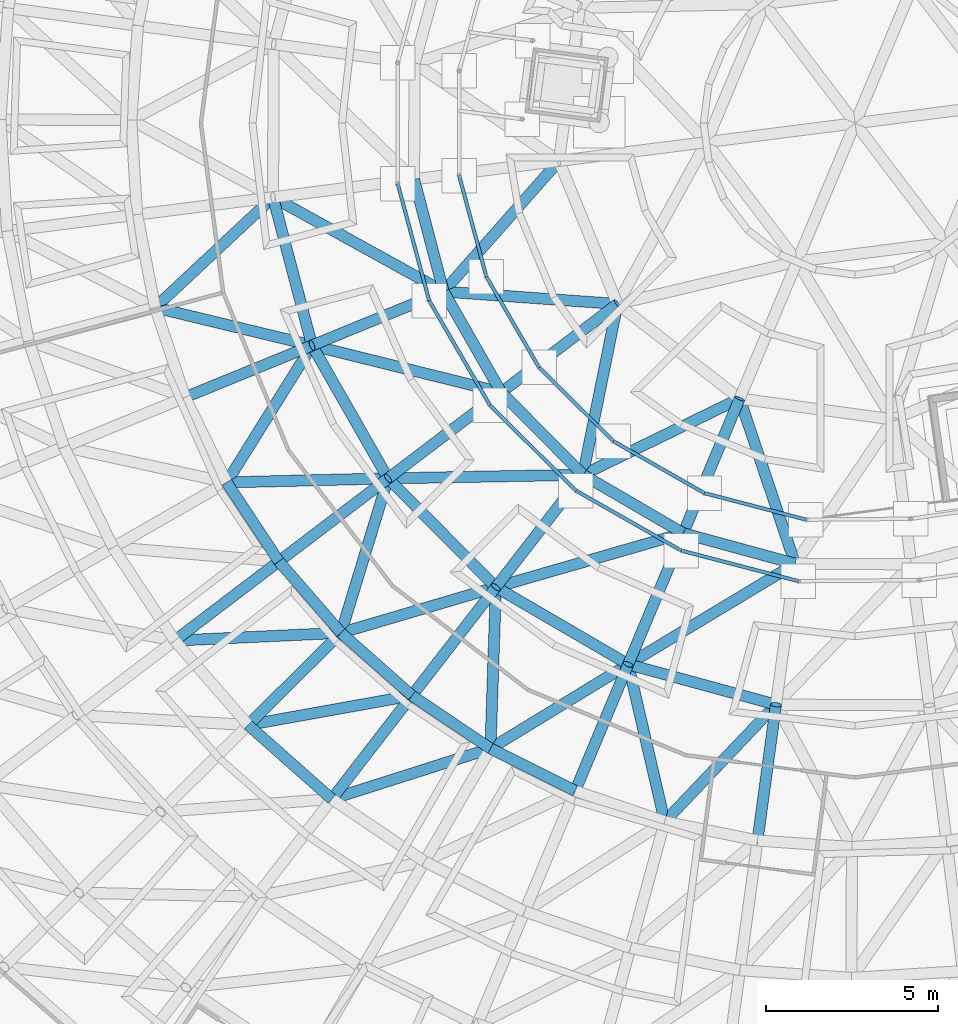
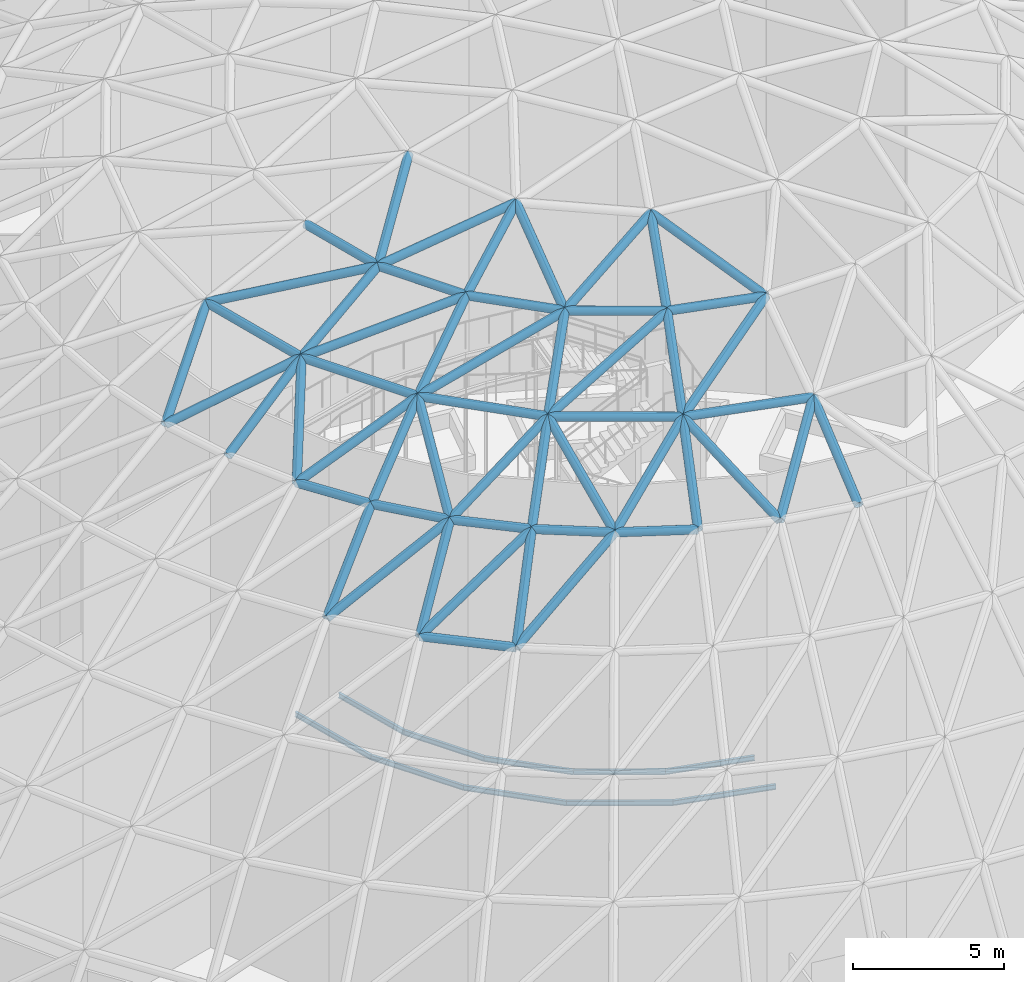
# One storey, part 77 of 226: 53 members, 10 beams.
"""IFC4 building model written with IfcOpenShell, lengths in metres."""

from ifc_helpers import new_model, si_unit, direction, frame, origin, origin_2d, place, context, subcontext, project, spatial, hollow_circle, i_section, extrude, material, material_profile, profile_set, type_object, element, save


model = new_model("IFC4")

# Units and contexts
model_context = context("Model", 3, precision=1e-05, world=origin(), true_north=direction((0.0, 1.0)))
body_context = subcontext(model_context, "Body", "Model", "MODEL_VIEW")
ifc_project = project(units=[si_unit("LENGTHUNIT", "METRE"), si_unit("AREAUNIT", "SQUARE_METRE"), si_unit("VOLUMEUNIT", "CUBIC_METRE"), si_unit("PLANEANGLEUNIT", "RADIAN"), si_unit("MASSUNIT", "GRAM", prefix="KILO")], contexts=[model_context])

# Site, building, storey
site_placement = place(None, origin())
site = spatial("IfcSite", under=ifc_project, at=site_placement, CompositionType="ELEMENT")
building_placement = place(site_placement, origin())
building = spatial("IfcBuilding", under=site, at=building_placement, Name="Ceibo Conservatory and Research Tower", CompositionType="ELEMENT")
storey_placement = place(building_placement, origin())
storey = spatial("IfcBuildingStorey", under=building, at=storey_placement, Name="L00", CompositionType="ELEMENT", Elevation=0.0)

# Members
ifc_material_1 = material(Name="Steel ASTM A500 Gr C", Category="steel")
ifc_material_profile_1 = material_profile(ifc_material_1, hollow_circle(Radius=0.161865234375, WallThickness=0.01025390625, at=origin_2d()), Name="CHS 323.9x10.31")
ifc_profile_set_1 = profile_set([ifc_material_profile_1], Name="Steel ASTM A500 Gr C")
member_type_1 = type_object("IfcMemberType", Name="CHS 323.9x10.31", PredefinedType="NOTDEFINED", material=ifc_profile_set_1)
member_1_placement = place(storey_placement, frame((136.241943359375, 92.97509765625, 19.8759765625), z_axis=(0.693686137001, 0.527754755397, 0.4901779896), x_axis=(-0.605485563009, 0.795856289155, 0.0)))
element("IfcMember", 1, at=member_1_placement, inside=storey, type_object=member_type_1, Name="Gridshell member A-M29-06", PredefinedType="RAFTER", context=body_context, shape_type="SweptSolid", body=[
    extrude(hollow_circle(Radius=0.161865234375, WallThickness=0.01025390625, at=origin_2d()), origin(), (0.0, 0.0, 1.0), 4.359619140625),
])
member_2_placement = place(storey_placement, frame((138.3720703125, 90.52490234375, 19.8759765625), z_axis=(0.618935674707, 0.613670996992, 0.490231106751), x_axis=(-0.704080182791, 0.71012048006, 0.0)))
element("IfcMember", 2, at=member_2_placement, inside=storey, type_object=member_type_1, Name="Gridshell member A-M30-06", PredefinedType="RAFTER", context=body_context, shape_type="SweptSolid", body=[
    extrude(hollow_circle(Radius=0.161865234375, WallThickness=0.01025390625, at=origin_2d()), origin(), (0.0, 0.0, 1.0), 4.359130859375),
])
member_3_placement = place(storey_placement, frame((140.803955078125, 88.3740234375, 19.8759765625), z_axis=(0.533604376262, 0.689143302775, 0.490252871358), x_axis=(-0.790682564617, 0.61222633234, 0.0)))
element("IfcMember", 3, at=member_3_placement, inside=storey, type_object=member_type_1, Name="Gridshell member A-M31-06", PredefinedType="RAFTER", context=body_context, shape_type="SweptSolid", body=[
    extrude(hollow_circle(Radius=0.161865234375, WallThickness=0.01025390625, at=origin_2d()), origin(), (0.0, 0.0, 1.0), 4.35888671875),
])
member_4_placement = place(storey_placement, frame((136.54296875, 100.0400390625, 22.012939453125), z_axis=(0.845363878027, 0.345728847162, 0.407224112703), x_axis=(-0.378537334184, 0.925586023354, 0.0)))
element("IfcMember", 4, at=member_4_placement, inside=storey, type_object=member_type_1, Name="Gridshell member A-M27-07", PredefinedType="RAFTER", context=body_context, shape_type="SweptSolid", body=[
    extrude(hollow_circle(Radius=0.161865234375, WallThickness=0.01025390625, at=origin_2d()), origin(), (0.0, 0.0, 1.0), 4.359130859375),
])
member_5_placement = place(storey_placement, frame((139.26611328125, 95.27587890625, 22.012939453125), z_axis=(0.727053629855, 0.552740001496, 0.407273262148), x_axis=(-0.605207662432, 0.796067638667, 0.0)))
element("IfcMember", 5, at=member_5_placement, inside=storey, type_object=member_type_1, Name="Gridshell member A-M29-07", PredefinedType="RAFTER", context=body_context, shape_type="SweptSolid", body=[
    extrude(hollow_circle(Radius=0.161865234375, WallThickness=0.01025390625, at=origin_2d()), origin(), (0.0, 0.0, 1.0), 4.358642578125),
])
member_6_placement = place(storey_placement, frame((143.1298828125, 91.3779296875, 22.012939453125), z_axis=(0.559092430089, 0.722193728068, 0.407249154396), x_axis=(-0.790737113753, 0.612155876337, 0.0)))
element("IfcMember", 6, at=member_6_placement, inside=storey, type_object=member_type_1, Name="Gridshell member A-M31-07", PredefinedType="RAFTER", context=body_context, shape_type="SweptSolid", body=[
    extrude(hollow_circle(Radius=0.161865234375, WallThickness=0.01025390625, at=origin_2d()), origin(), (0.0, 0.0, 1.0), 4.35888671875),
])
for number, where, z_axis, x_axis, name in (
    (7, (147.87109375, 88.613037109375, 22.012939453125), (0.353012672768, 0.842346596609, 0.407227533507), (-0.922283952425, 0.386513015434, 0.0), "Gridshell member A-M33-07"),
    (8, (153.1650390625, 87.169921875, 22.012939453125), (0.123155824209, 0.904990888306, 0.40721509678), (-0.990867072164, 0.134842297895, 0.0), "Gridshell member A-M35-07"),
):
    element("IfcMember", number, at=place(storey_placement, frame(where, z_axis=z_axis, x_axis=x_axis)), inside=storey, type_object=member_type_1, Name=name, PredefinedType="RAFTER", context=body_context, shape_type="SweptSolid", body=[
        extrude(hollow_circle(Radius=0.161865234375, WallThickness=0.01025390625, at=origin_2d()), origin(), (0.0, 0.0, 1.0), 4.359130859375),
    ])
ifc_material_profile_2 = material_profile(ifc_material_1, hollow_circle(Radius=0.161865234375, WallThickness=0.00634765625, at=origin_2d()), Name="CHS 323.9x6.35")
ifc_profile_set_2 = profile_set([ifc_material_profile_2], Name="Steel ASTM A500 Gr C")
member_type_2 = type_object("IfcMemberType", Name="CHS 323.9x6.35", PredefinedType="NOTDEFINED", material=ifc_profile_set_2)
member_7_placement = place(storey_placement, frame((139.094970703125, 105.84912109375, 23.7880859375), z_axis=(0.254693189694, -0.967021912432, 0.0), x_axis=(0.967021912432, 0.254693189694, 0.0)))
element("IfcMember", 9, at=member_7_placement, inside=storey, type_object=member_type_2, Name="Gridshell member A-C08-13", PredefinedType="CHORD", context=body_context, shape_type="SweptSolid", body=[
    extrude(hollow_circle(Radius=0.161865234375, WallThickness=0.00634765625, at=origin_2d()), origin(), (0.0, 0.0, 1.0), 4.44873046875),
])
member_8_placement = place(storey_placement, frame((140.22802734375, 101.547119140625, 23.7880859375), z_axis=(0.496162581046, -0.868229631589, 0.0), x_axis=(0.868229631589, 0.496162581046, 0.0)))
element("IfcMember", 10, at=member_8_placement, inside=storey, type_object=member_type_2, Name="Gridshell member A-C08-14", PredefinedType="CHORD", context=body_context, shape_type="SweptSolid", body=[
    extrude(hollow_circle(Radius=0.161865234375, WallThickness=0.00634765625, at=origin_2d()), origin(), (0.0, 0.0, 1.0), 4.4482421875),
])
member_9_placement = place(storey_placement, frame((142.43505859375, 97.68505859375, 23.7880859375), z_axis=(0.704026708202, -0.710173495801, 0.0), x_axis=(0.710173495801, 0.704026708202, 0.0)))
element("IfcMember", 11, at=member_9_placement, inside=storey, type_object=member_type_2, Name="Gridshell member A-C08-15", PredefinedType="CHORD", context=body_context, shape_type="SweptSolid", body=[
    extrude(hollow_circle(Radius=0.161865234375, WallThickness=0.00634765625, at=origin_2d()), origin(), (0.0, 0.0, 1.0), 4.448486328125),
])
member_10_placement = place(storey_placement, frame((145.56689453125, 94.52587890625, 23.7880859375), z_axis=(0.863856517975, -0.503737944126, 0.0), x_axis=(0.503737944126, 0.863856517975, 0.0)))
element("IfcMember", 12, at=member_10_placement, inside=storey, type_object=member_type_2, Name="Gridshell member A-C08-16", PredefinedType="CHORD", context=body_context, shape_type="SweptSolid", body=[
    extrude(hollow_circle(Radius=0.161865234375, WallThickness=0.00634765625, at=origin_2d()), origin(), (0.0, 0.0, 1.0), 4.44873046875),
])
member_11_placement = place(storey_placement, frame((149.409912109375, 92.284912109375, 23.7880859375), z_axis=(0.964799273725, -0.262987378822, 0.0), x_axis=(0.262987378822, 0.964799273725, 0.0)))
element("IfcMember", 13, at=member_11_placement, inside=storey, type_object=member_type_2, Name="Gridshell member A-C08-17", PredefinedType="CHORD", context=body_context, shape_type="SweptSolid", body=[
    extrude(hollow_circle(Radius=0.161865234375, WallThickness=0.00634765625, at=origin_2d()), origin(), (0.0, 0.0, 1.0), 4.448486328125),
])
member_12_placement = place(storey_placement, frame((143.19091796875, 106.37109375, 25.18408203125), z_axis=(0.254564595212, -0.967055772365, 0.0), x_axis=(0.967055772365, 0.254564595212, 0.0)))
element("IfcMember", 14, at=member_12_placement, inside=storey, type_object=member_type_2, Name="Gridshell member A-C09-13", PredefinedType="CHORD", context=body_context, shape_type="SweptSolid", body=[
    extrude(hollow_circle(Radius=0.161865234375, WallThickness=0.00634765625, at=origin_2d()), origin(), (0.0, 0.0, 1.0), 3.37109375),
])
member_13_placement = place(storey_placement, frame((144.049072265625, 103.111083984375, 25.18408203125), z_axis=(0.496201327112, -0.868207488434, 0.0), x_axis=(0.868207488434, 0.496201327112, 0.0)))
element("IfcMember", 15, at=member_13_placement, inside=storey, type_object=member_type_2, Name="Gridshell member A-C09-14", PredefinedType="CHORD", context=body_context, shape_type="SweptSolid", body=[
    extrude(hollow_circle(Radius=0.161865234375, WallThickness=0.00634765625, at=origin_2d()), origin(), (0.0, 0.0, 1.0), 3.371337890625),
])
member_14_placement = place(storey_placement, frame((145.721923828125, 100.18408203125, 25.18408203125), z_axis=(0.704130445871, -0.710070640991, 0.0), x_axis=(0.710070640991, 0.704130445871, 0.0)))
element("IfcMember", 16, at=member_14_placement, inside=storey, type_object=member_type_2, Name="Gridshell member A-C09-15", PredefinedType="CHORD", context=body_context, shape_type="SweptSolid", body=[
    extrude(hollow_circle(Radius=0.161865234375, WallThickness=0.00634765625, at=origin_2d()), origin(), (0.0, 0.0, 1.0), 3.3701171875),
])
member_15_placement = place(storey_placement, frame((148.094970703125, 97.791015625, 25.18408203125), z_axis=(0.863873449663, -0.503708906976, 0.0), x_axis=(0.503708906976, 0.863873449663, 0.0)))
element("IfcMember", 17, at=member_15_placement, inside=storey, type_object=member_type_2, Name="Gridshell member A-C09-16", PredefinedType="CHORD", context=body_context, shape_type="SweptSolid", body=[
    extrude(hollow_circle(Radius=0.161865234375, WallThickness=0.00634765625, at=origin_2d()), origin(), (0.0, 0.0, 1.0), 3.37109375),
])
member_16_placement = place(storey_placement, frame((151.007080078125, 96.093017578125, 25.18408203125), z_axis=(0.964758806724, -0.263135791654, 0.0), x_axis=(0.263135791654, 0.964758806724, 0.0)))
element("IfcMember", 18, at=member_16_placement, inside=storey, type_object=member_type_2, Name="Gridshell member A-C09-17", PredefinedType="CHORD", context=body_context, shape_type="SweptSolid", body=[
    extrude(hollow_circle(Radius=0.161865234375, WallThickness=0.00634765625, at=origin_2d()), origin(), (0.0, 0.0, 1.0), 3.370849609375),
])
member_17_placement = place(storey_placement, frame((136.241943359375, 92.97509765625, 19.8759765625), z_axis=(0.913605897877, 0.042548090208, 0.404368548954), x_axis=(-0.046521179047, 0.998917303835, 0.0)))
element("IfcMember", 19, at=member_17_placement, inside=storey, type_object=member_type_2, Name="Gridshell diagonal member A-D06-29", PredefinedType="BRACE", context=body_context, shape_type="SweptSolid", body=[
    extrude(hollow_circle(Radius=0.161865234375, WallThickness=0.00634765625, at=origin_2d()), origin(), (0.0, 0.0, 1.0), 5.28466796875),
])
for number, where, z_axis, x_axis, name in (
    (20, (138.3720703125, 90.52490234375, 19.8759765625), (0.900251231785, 0.16140588074, 0.404346214687), (-0.176475859997, 0.984304968411, 0.0), "Gridshell diagonal member A-D06-30"),
    (21, (140.803955078125, 88.3740234375, 19.8759765625), (0.871521748446, 0.277403164392, 0.404348026298), (-0.303303725039, 0.952893934485, 0.0), "Gridshell diagonal member A-D06-31"),
):
    element("IfcMember", number, at=place(storey_placement, frame(where, z_axis=z_axis, x_axis=x_axis)), inside=storey, type_object=member_type_2, Name=name, PredefinedType="BRACE", context=body_context, shape_type="SweptSolid", body=[
        extrude(hollow_circle(Radius=0.161865234375, WallThickness=0.00634765625, at=origin_2d()), origin(), (0.0, 0.0, 1.0), 5.284912109375),
    ])
member_18_placement = place(storey_placement, frame((135.6708984375, 102.64794921875, 22.012939453125), z_axis=(0.68313712498, 0.638666237628, 0.354159717342), x_axis=(-0.682930404518, 0.730483444429, 0.0)))
element("IfcMember", 22, at=member_18_placement, inside=storey, type_object=member_type_2, Name="Gridshell diagonal member A-D07-26", PredefinedType="BRACE", context=body_context, shape_type="SweptSolid", body=[
    extrude(hollow_circle(Radius=0.161865234375, WallThickness=0.00634765625, at=origin_2d()), origin(), (0.0, 0.0, 1.0), 5.01220703125),
])
member_19_placement = place(storey_placement, frame((135.6708984375, 102.64794921875, 22.012939453125), z_axis=(0.909058117901, -0.219594077661, 0.354107016782), x_axis=(0.234808517034, 0.972041645367, 0.0)))
element("IfcMember", 23, at=member_19_placement, inside=storey, type_object=member_type_2, Name="Gridshell diagonal member A-D07-27", PredefinedType="BRACE", context=body_context, shape_type="SweptSolid", body=[
    extrude(hollow_circle(Radius=0.161865234375, WallThickness=0.00634765625, at=origin_2d()), origin(), (0.0, 0.0, 1.0), 5.012939453125),
])
member_20_placement = place(storey_placement, frame((137.7490234375, 97.569091796875, 22.012939453125), z_axis=(0.494602259492, 0.793682215498, 0.354171068423), x_axis=(-0.848694006558, 0.528884186976, 0.0)))
element("IfcMember", 24, at=member_20_placement, inside=storey, type_object=member_type_2, Name="Gridshell diagonal member A-D07-28", PredefinedType="BRACE", context=body_context, shape_type="SweptSolid", body=[
    extrude(hollow_circle(Radius=0.161865234375, WallThickness=0.00634765625, at=origin_2d()), origin(), (0.0, 0.0, 1.0), 5.01220703125),
])
member_21_placement = place(storey_placement, frame((137.7490234375, 97.569091796875, 22.012939453125), z_axis=(0.934900321185, 0.02313627449, 0.354155477511), x_axis=(-0.024739742353, 0.999693925733, 0.0)))
element("IfcMember", 25, at=member_21_placement, inside=storey, type_object=member_type_2, Name="Gridshell diagonal member A-D07-29", PredefinedType="BRACE", context=body_context, shape_type="SweptSolid", body=[
    extrude(hollow_circle(Radius=0.161865234375, WallThickness=0.00634765625, at=origin_2d()), origin(), (0.0, 0.0, 1.0), 5.012451171875),
])
for number, where, z_axis, x_axis, name in (
    (26, (141.070068359375, 93.199951171875, 22.012939453125), (0.272288126249, 0.894688815476, 0.354106057228), (-0.956676403075, 0.29115332696, 0.0), "Gridshell diagonal member A-D07-30"),
    (27, (141.070068359375, 93.199951171875, 22.012939453125), (0.897023917575, 0.264495189552, 0.354105049389), (-0.282820349314, 0.959172898916, 0.0), "Gridshell diagonal member A-D07-31"),
):
    element("IfcMember", number, at=place(storey_placement, frame(where, z_axis=z_axis, x_axis=x_axis)), inside=storey, type_object=member_type_2, Name=name, PredefinedType="BRACE", context=body_context, shape_type="SweptSolid", body=[
        extrude(hollow_circle(Radius=0.161865234375, WallThickness=0.00634765625, at=origin_2d()), origin(), (0.0, 0.0, 1.0), 5.012939453125),
    ])
member_22_placement = place(storey_placement, frame((145.409912109375, 89.840087890625, 22.012939453125), z_axis=(0.031313659083, 0.934685938993, 0.354092714136), x_axis=(-0.999439286733, 0.033483012628, 0.0)))
element("IfcMember", 28, at=member_22_placement, inside=storey, type_object=member_type_2, Name="Gridshell diagonal member A-D07-32", PredefinedType="BRACE", context=body_context, shape_type="SweptSolid", body=[
    extrude(hollow_circle(Radius=0.161865234375, WallThickness=0.00634765625, at=origin_2d()), origin(), (0.0, 0.0, 1.0), 5.01318359375),
])
member_23_placement = place(storey_placement, frame((145.409912109375, 89.840087890625, 22.012939453125), z_axis=(0.797954900847, 0.487714866765, 0.354121709232), x_axis=(-0.52150899092, 0.853245786623, 0.0)))
element("IfcMember", 29, at=member_23_placement, inside=storey, type_object=member_type_2, Name="Gridshell diagonal member A-D07-33", PredefinedType="BRACE", context=body_context, shape_type="SweptSolid", body=[
    extrude(hollow_circle(Radius=0.161865234375, WallThickness=0.00634765625, at=origin_2d()), origin(), (0.0, 0.0, 1.0), 5.0126953125),
])
member_24_placement = place(storey_placement, frame((150.470947265625, 87.718017578125, 22.012939453125), z_axis=(-0.211642839505, 0.910950519048, 0.354085385652), x_axis=(-0.974056629956, -0.226304400395, 0.0)))
element("IfcMember", 30, at=member_24_placement, inside=storey, type_object=member_type_2, Name="Gridshell diagonal member A-D07-34", PredefinedType="BRACE", context=body_context, shape_type="SweptSolid", body=[
    extrude(hollow_circle(Radius=0.161865234375, WallThickness=0.00634765625, at=origin_2d()), origin(), (0.0, 0.0, 1.0), 5.013427734375),
])
member_25_placement = place(storey_placement, frame((150.470947265625, 87.718017578125, 22.012939453125), z_axis=(0.644522300446, 0.677639662113, 0.354112259826), x_axis=(-0.724591043665, 0.689179090978, 0.0)))
element("IfcMember", 31, at=member_25_placement, inside=storey, type_object=member_type_2, Name="Gridshell diagonal member A-D07-35", PredefinedType="BRACE", context=body_context, shape_type="SweptSolid", body=[
    extrude(hollow_circle(Radius=0.161865234375, WallThickness=0.00634765625, at=origin_2d()), origin(), (0.0, 0.0, 1.0), 5.012939453125),
])
for number, where, z_axis, x_axis, name in (
    (32, (139.094970703125, 105.84912109375, 23.7880859375), (0.849761698392, -0.469647025797, 0.239450886626), (0.483719152091, 0.875223275456, 0.0), "Gridshell diagonal member A-D08-13"),
    (33, (140.22802734375, 101.547119140625, 23.7880859375), (0.942339970226, -0.233794785307, 0.239448071357), (0.240799852287, 0.970574794201, 0.0), "Gridshell diagonal member A-D08-14"),
):
    element("IfcMember", number, at=place(storey_placement, frame(where, z_axis=z_axis, x_axis=x_axis)), inside=storey, type_object=member_type_2, Name=name, PredefinedType="BRACE", context=body_context, shape_type="SweptSolid", body=[
        extrude(hollow_circle(Radius=0.161865234375, WallThickness=0.00634765625, at=origin_2d()), origin(), (0.0, 0.0, 1.0), 5.830078125),
    ])
member_26_placement = place(storey_placement, frame((142.43505859375, 97.68505859375, 23.7880859375), z_axis=(0.970743481033, 0.018172914238, 0.239430238733), x_axis=(-0.018717334679, 0.999824815346, 0.0)))
element("IfcMember", 34, at=member_26_placement, inside=storey, type_object=member_type_2, Name="Gridshell diagonal member A-D08-15", PredefinedType="BRACE", context=body_context, shape_type="SweptSolid", body=[
    extrude(hollow_circle(Radius=0.161865234375, WallThickness=0.00634765625, at=origin_2d()), origin(), (0.0, 0.0, 1.0), 5.83056640625),
])
member_27_placement = place(storey_placement, frame((145.56689453125, 94.52587890625, 23.7880859375), z_axis=(0.932979356483, 0.268760691525, 0.239410131507), x_axis=(-0.276810755634, 0.96092445362, 0.0)))
element("IfcMember", 35, at=member_27_placement, inside=storey, type_object=member_type_2, Name="Gridshell diagonal member A-D08-16", PredefinedType="BRACE", context=body_context, shape_type="SweptSolid", body=[
    extrude(hollow_circle(Radius=0.161865234375, WallThickness=0.00634765625, at=origin_2d()), origin(), (0.0, 0.0, 1.0), 5.8310546875),
])
member_28_placement = place(storey_placement, frame((149.409912109375, 92.284912109375, 23.7880859375), z_axis=(0.831668110253, 0.501002363266, 0.239425951789), x_axis=(-0.516010727566, 0.856582120428, 0.0)))
element("IfcMember", 36, at=member_28_placement, inside=storey, type_object=member_type_2, Name="Gridshell diagonal member A-D08-17", PredefinedType="BRACE", context=body_context, shape_type="SweptSolid", body=[
    extrude(hollow_circle(Radius=0.161865234375, WallThickness=0.00634765625, at=origin_2d()), origin(), (0.0, 0.0, 1.0), 5.83056640625),
])
member_29_placement = place(storey_placement, frame((144.049072265625, 103.111083984375, 25.18408203125), z_axis=(0.648975939348, 0.735414595118, 0.194924609617), x_axis=(-0.749797030736, 0.661667902123, 0.0)))
element("IfcMember", 37, at=member_29_placement, inside=storey, type_object=member_type_2, Name="Gridshell diagonal member A-D09-14", PredefinedType="BRACE", context=body_context, shape_type="SweptSolid", body=[
    extrude(hollow_circle(Radius=0.161865234375, WallThickness=0.00634765625, at=origin_2d()), origin(), (0.0, 0.0, 1.0), 5.16015625),
])
member_30_placement = place(storey_placement, frame((144.049072265625, 103.111083984375, 25.18408203125), z_axis=(0.978335727506, -0.069779748456, 0.194910212637), x_axis=(0.071144217049, 0.997466039713, 0.0)))
element("IfcMember", 38, at=member_30_placement, inside=storey, type_object=member_type_2, Name="Gridshell diagonal member A-D09-15", PredefinedType="BRACE", context=body_context, shape_type="SweptSolid", body=[
    extrude(hollow_circle(Radius=0.161865234375, WallThickness=0.00634765625, at=origin_2d()), origin(), (0.0, 0.0, 1.0), 5.16064453125),
])
member_31_placement = place(storey_placement, frame((148.094970703125, 97.791015625, 25.18408203125), z_axis=(0.194390920704, 0.961354903853, 0.194958761758), x_axis=(-0.980162816681, 0.198193977699, 0.0)))
element("IfcMember", 39, at=member_31_placement, inside=storey, type_object=member_type_2, Name="Gridshell diagonal member A-D09-16", PredefinedType="BRACE", context=body_context, shape_type="SweptSolid", body=[
    extrude(hollow_circle(Radius=0.161865234375, WallThickness=0.00634765625, at=origin_2d()), origin(), (0.0, 0.0, 1.0), 5.159423828125),
])
for number, where, z_axis, x_axis, name in (
    (40, (148.094970703125, 97.791015625, 25.18408203125), (0.882108642385, 0.428824496357, 0.194920225617), (-0.437210589233, 0.899359161104, 0.0), "Gridshell diagonal member A-D09-17"),
    (41, (154.259033203125, 95.2060546875, 25.18408203125), (-0.312389775214, 0.929741611768, 0.194918351338), (-0.947923280966, -0.318498749451, 0.0), "Gridshell diagonal member A-D09-18"),
):
    element("IfcMember", number, at=place(storey_placement, frame(where, z_axis=z_axis, x_axis=x_axis)), inside=storey, type_object=member_type_2, Name=name, PredefinedType="BRACE", context=body_context, shape_type="SweptSolid", body=[
        extrude(hollow_circle(Radius=0.161865234375, WallThickness=0.00634765625, at=origin_2d()), origin(), (0.0, 0.0, 1.0), 5.160400390625),
    ])
ifc_material_profile_3 = material_profile(ifc_material_1, hollow_circle(Radius=0.161865234375, WallThickness=0.00830078125, at=origin_2d()), Name="CHS 323.9x8.38")
ifc_profile_set_3 = profile_set([ifc_material_profile_3], Name="Steel ASTM A500 Gr C")
member_type_3 = type_object("IfcMemberType", Name="CHS 323.9x8.38", PredefinedType="NOTDEFINED", material=ifc_profile_set_3)
member_32_placement = place(storey_placement, frame((138.3720703125, 90.52490234375, 19.8759765625), z_axis=(0.749058278672, -0.662504109537, 0.0), x_axis=(0.662504109537, 0.749058278672, 0.0)))
element("IfcMember", 42, at=member_32_placement, inside=storey, type_object=member_type_3, Name="Gridshell member A-C06-30", PredefinedType="CHORD", context=body_context, shape_type="SweptSolid", body=[
    extrude(hollow_circle(Radius=0.161865234375, WallThickness=0.00830078125, at=origin_2d()), origin(), (0.0, 0.0, 1.0), 3.24658203125),
])
member_33_placement = place(storey_placement, frame((137.7490234375, 97.569091796875, 22.012939453125), z_axis=(0.551746121392, -0.834012120733, 0.0), x_axis=(0.834012120733, 0.551746121392, 0.0)))
element("IfcMember", 43, at=member_33_placement, inside=storey, type_object=member_type_3, Name="Gridshell member A-C07-28", PredefinedType="CHORD", context=body_context, shape_type="SweptSolid", body=[
    extrude(hollow_circle(Radius=0.161865234375, WallThickness=0.00830078125, at=origin_2d()), origin(), (0.0, 0.0, 1.0), 2.74951171875),
])
member_34_placement = place(storey_placement, frame((139.26611328125, 95.27587890625, 22.012939453125), z_axis=(0.655930330276, -0.754821437046, 0.0), x_axis=(0.754821437046, 0.655930330276, 0.0)))
element("IfcMember", 44, at=member_34_placement, inside=storey, type_object=member_type_3, Name="Gridshell member A-C07-29", PredefinedType="CHORD", context=body_context, shape_type="SweptSolid", body=[
    extrude(hollow_circle(Radius=0.161865234375, WallThickness=0.00830078125, at=origin_2d()), origin(), (0.0, 0.0, 1.0), 2.750244140625),
])
member_35_placement = place(storey_placement, frame((141.070068359375, 93.199951171875, 22.012939453125), z_axis=(0.749018590767, -0.662548979838, 0.0), x_axis=(0.662548979838, 0.749018590767, 0.0)))
element("IfcMember", 45, at=member_35_placement, inside=storey, type_object=member_type_3, Name="Gridshell member A-C07-30", PredefinedType="CHORD", context=body_context, shape_type="SweptSolid", body=[
    extrude(hollow_circle(Radius=0.161865234375, WallThickness=0.00830078125, at=origin_2d()), origin(), (0.0, 0.0, 1.0), 2.75),
])
member_36_placement = place(storey_placement, frame((143.1298828125, 91.3779296875, 22.012939453125), z_axis=(0.829047245278, -0.559178562802, 0.0), x_axis=(0.559178562802, 0.829047245278, 0.0)))
element("IfcMember", 46, at=member_36_placement, inside=storey, type_object=member_type_3, Name="Gridshell member A-C07-31", PredefinedType="CHORD", context=body_context, shape_type="SweptSolid", body=[
    extrude(hollow_circle(Radius=0.161865234375, WallThickness=0.00830078125, at=origin_2d()), origin(), (0.0, 0.0, 1.0), 2.750244140625),
])
member_37_placement = place(storey_placement, frame((145.409912109375, 89.840087890625, 22.012939453125), z_axis=(0.894941493593, -0.446183508263, 0.0), x_axis=(0.446183508263, 0.894941493593, 0.0)))
element("IfcMember", 47, at=member_37_placement, inside=storey, type_object=member_type_3, Name="Gridshell member A-C07-32", PredefinedType="CHORD", context=body_context, shape_type="SweptSolid", body=[
    extrude(hollow_circle(Radius=0.161865234375, WallThickness=0.00830078125, at=origin_2d()), origin(), (0.0, 0.0, 1.0), 2.75),
])
member_38_placement = place(storey_placement, frame((140.22802734375, 101.547119140625, 23.7880859375), z_axis=(0.876719142512, 0.358843704999, 0.320304137556), x_axis=(-0.378800921469, 0.925478180129, 0.0)))
element("IfcMember", 48, at=member_38_placement, inside=storey, type_object=member_type_3, Name="Gridshell member A-M14-08", PredefinedType="RAFTER", context=body_context, shape_type="SweptSolid", body=[
    extrude(hollow_circle(Radius=0.161865234375, WallThickness=0.00830078125, at=origin_2d()), origin(), (0.0, 0.0, 1.0), 4.3583984375),
])
member_39_placement = place(storey_placement, frame((142.43505859375, 97.68505859375, 23.7880859375), z_axis=(0.754110073539, 0.573354431608, 0.320285330201), x_axis=(-0.605237673467, 0.79604482199, 0.0)))
element("IfcMember", 49, at=member_39_placement, inside=storey, type_object=member_type_3, Name="Gridshell member A-M15-08", PredefinedType="RAFTER", context=body_context, shape_type="SweptSolid", body=[
    extrude(hollow_circle(Radius=0.161865234375, WallThickness=0.00830078125, at=origin_2d()), origin(), (0.0, 0.0, 1.0), 4.358642578125),
])
for number, where, z_axis, x_axis, name in (
    (50, (145.56689453125, 94.52587890625, 23.7880859375), (0.579963783908, 0.749052211105, 0.320254265223), (-0.790696934655, 0.612207773168, 0.0), "Gridshell member A-M16-08"),
    (51, (149.409912109375, 92.284912109375, 23.7880859375), (0.366401790551, 0.873606714921, 0.320251519164), (-0.9221753363, 0.386772089375, 0.0), "Gridshell member A-M17-08"),
):
    element("IfcMember", number, at=place(storey_placement, frame(where, z_axis=z_axis, x_axis=x_axis)), inside=storey, type_object=member_type_3, Name=name, PredefinedType="RAFTER", context=body_context, shape_type="SweptSolid", body=[
        extrude(hollow_circle(Radius=0.161865234375, WallThickness=0.00830078125, at=origin_2d()), origin(), (0.0, 0.0, 1.0), 4.359130859375),
    ])
member_40_placement = place(storey_placement, frame((145.721923828125, 100.18408203125, 25.18408203125), z_axis=(0.774544571179, 0.588918254366, 0.230772608711), x_axis=(-0.605255486176, 0.796031278565, 0.0)))
element("IfcMember", 52, at=member_40_placement, inside=storey, type_object=member_type_3, Name="Gridshell member A-M15-09", PredefinedType="RAFTER", context=body_context, shape_type="SweptSolid", body=[
    extrude(hollow_circle(Radius=0.161865234375, WallThickness=0.00830078125, at=origin_2d()), origin(), (0.0, 0.0, 1.0), 4.358642578125),
])
member_41_placement = place(storey_placement, frame((151.007080078125, 96.093017578125, 25.18408203125), z_axis=(0.376256262715, 0.897312650355, 0.230783951524), x_axis=(-0.922207627393, 0.386695089157, 0.0)))
element("IfcMember", 53, at=member_41_placement, inside=storey, type_object=member_type_3, Name="Gridshell member A-M17-09", PredefinedType="RAFTER", context=body_context, shape_type="SweptSolid", body=[
    extrude(hollow_circle(Radius=0.161865234375, WallThickness=0.00830078125, at=origin_2d()), origin(), (0.0, 0.0, 1.0), 4.3583984375),
])

# Beams
ifc_material_2 = material(Name="Steel S355J2", Category="steel")
ifc_material_profile_4 = material_profile(ifc_material_2, i_section(OverallWidth=0.10009765625, OverallDepth=0.199951171875, WebThickness=0.005615234375, FlangeThickness=0.008544921875, at=origin_2d()), Name="IPE 200")
ifc_profile_set_4 = profile_set([ifc_material_profile_4], Name="Steel S355J2")
beam_type = type_object("IfcBeamType", Name="IPE 200 walkway beam", PredefinedType="BEAM", material=ifc_profile_set_4)
beam_1_placement = place(storey_placement, frame((142.7158203125, 106.241943359375, 5.699951171875), z_axis=(0.26012537805, -0.965574848313, 0.0), x_axis=(0.965574848313, 0.26012537805, 0.0)))
element("IfcBeam", 54, at=beam_1_placement, inside=storey, type_object=beam_type, Name="Walkway beam WK-B08O", PredefinedType="BEAM", context=body_context, shape_type="SweptSolid", body=[
    extrude(i_section(OverallWidth=0.10009765625, OverallDepth=0.199951171875, WebThickness=0.005615234375, FlangeThickness=0.008544921875, at=origin_2d()), origin(), (0.0, 0.0, 1.0), 3.515869140625),
])
beam_2_placement = place(storey_placement, frame((144.500244140625, 106.478271484375, 5.699951171875), z_axis=(0.260123049311, -0.965575475671, 0.0), x_axis=(0.965575475671, 0.260123049311, 0.0)))
element("IfcBeam", 55, at=beam_2_placement, inside=storey, type_object=beam_type, Name="Walkway beam WK-B08I", PredefinedType="BEAM", context=body_context, shape_type="SweptSolid", body=[
    extrude(i_section(OverallWidth=0.10009765625, OverallDepth=0.199951171875, WebThickness=0.005615234375, FlangeThickness=0.008544921875, at=origin_2d()), origin(), (0.0, 0.0, 1.0), 3.043701171875),
])
beam_3_placement = place(storey_placement, frame((143.63037109375, 102.84716796875, 5.699951171875), z_axis=(0.502303019938, -0.86469166537, 0.0), x_axis=(0.86469166537, 0.502303019938, 0.0)))
element("IfcBeam", 56, at=beam_3_placement, inside=storey, type_object=beam_type, Name="Walkway beam WK-B09O", PredefinedType="BEAM", context=body_context, shape_type="SweptSolid", body=[
    extrude(i_section(OverallWidth=0.10009765625, OverallDepth=0.199951171875, WebThickness=0.005615234375, FlangeThickness=0.008544921875, at=origin_2d()), origin(), (0.0, 0.0, 1.0), 3.51611328125),
])
beam_4_placement = place(storey_placement, frame((145.2919921875, 103.539306640625, 5.699951171875), z_axis=(0.502294187222, -0.864696796272, 0.0), x_axis=(0.864696796272, 0.502294187222, 0.0)))
element("IfcBeam", 57, at=beam_4_placement, inside=storey, type_object=beam_type, Name="Walkway beam WK-B09I", PredefinedType="BEAM", context=body_context, shape_type="SweptSolid", body=[
    extrude(i_section(OverallWidth=0.10009765625, OverallDepth=0.199951171875, WebThickness=0.005615234375, FlangeThickness=0.008544921875, at=origin_2d()), origin(), (0.0, 0.0, 1.0), 3.043701171875),
])
beam_5_placement = place(storey_placement, frame((145.396484375, 99.806884765625, 5.699951171875), z_axis=(0.709948063666, -0.704254035769, 0.0), x_axis=(0.704254035769, 0.709948063666, 0.0)))
element("IfcBeam", 58, at=beam_5_placement, inside=storey, type_object=beam_type, Name="Walkway beam WK-B10O", PredefinedType="BEAM", context=body_context, shape_type="SweptSolid", body=[
    extrude(i_section(OverallWidth=0.10009765625, OverallDepth=0.199951171875, WebThickness=0.005615234375, FlangeThickness=0.008544921875, at=origin_2d()), origin(), (0.0, 0.0, 1.0), 3.515869140625),
])
beam_6_placement = place(storey_placement, frame((146.82080078125, 100.907470703125, 5.699951171875), z_axis=(0.709948542218, -0.704253553347, 0.0), x_axis=(0.704253553347, 0.709948542218, 0.0)))
element("IfcBeam", 59, at=beam_6_placement, inside=storey, type_object=beam_type, Name="Walkway beam WK-B10I", PredefinedType="BEAM", context=body_context, shape_type="SweptSolid", body=[
    extrude(i_section(OverallWidth=0.10009765625, OverallDepth=0.199951171875, WebThickness=0.005615234375, FlangeThickness=0.008544921875, at=origin_2d()), origin(), (0.0, 0.0, 1.0), 3.043701171875),
])
beam_7_placement = place(storey_placement, frame((147.892578125, 97.330810546875, 5.699951171875), z_axis=(0.868725584754, -0.49529370922, 0.0), x_axis=(0.49529370922, 0.868725584754, 0.0)))
element("IfcBeam", 60, at=beam_7_placement, inside=storey, type_object=beam_type, Name="Walkway beam WK-B11O", PredefinedType="BEAM", context=body_context, shape_type="SweptSolid", body=[
    extrude(i_section(OverallWidth=0.10009765625, OverallDepth=0.199951171875, WebThickness=0.005615234375, FlangeThickness=0.008544921875, at=origin_2d()), origin(), (0.0, 0.0, 1.0), 3.51611328125),
])
beam_8_placement = place(storey_placement, frame((148.981689453125, 98.763916015625, 5.699951171875), z_axis=(0.868711694482, -0.495318071415, 0.0), x_axis=(0.495318071415, 0.868711694482, 0.0)))
element("IfcBeam", 61, at=beam_8_placement, inside=storey, type_object=beam_type, Name="Walkway beam WK-B11I", PredefinedType="BEAM", context=body_context, shape_type="SweptSolid", body=[
    extrude(i_section(OverallWidth=0.10009765625, OverallDepth=0.199951171875, WebThickness=0.005615234375, FlangeThickness=0.008544921875, at=origin_2d()), origin(), (0.0, 0.0, 1.0), 3.043701171875),
])
beam_9_placement = place(storey_placement, frame((150.947021484375, 95.58935546875, 5.699951171875), z_axis=(0.967637916625, -0.252342747687, 0.0), x_axis=(0.252342747687, 0.967637916625, 0.0)))
element("IfcBeam", 62, at=beam_9_placement, inside=storey, type_object=beam_type, Name="Walkway beam WK-B12O", PredefinedType="BEAM", context=body_context, shape_type="SweptSolid", body=[
    extrude(i_section(OverallWidth=0.10009765625, OverallDepth=0.199951171875, WebThickness=0.005615234375, FlangeThickness=0.008544921875, at=origin_2d()), origin(), (0.0, 0.0, 1.0), 3.515869140625),
])
beam_10_placement = place(storey_placement, frame((151.625732421875, 97.25634765625, 5.699951171875), z_axis=(0.96763430702, -0.252356588733, 0.0), x_axis=(0.252356588733, 0.96763430702, 0.0)))
element("IfcBeam", 63, at=beam_10_placement, inside=storey, type_object=beam_type, Name="Walkway beam WK-B12I", PredefinedType="BEAM", context=body_context, shape_type="SweptSolid", body=[
    extrude(i_section(OverallWidth=0.10009765625, OverallDepth=0.199951171875, WebThickness=0.005615234375, FlangeThickness=0.008544921875, at=origin_2d()), origin(), (0.0, 0.0, 1.0), 3.04345703125),
])

save(model, "model.ifc")
